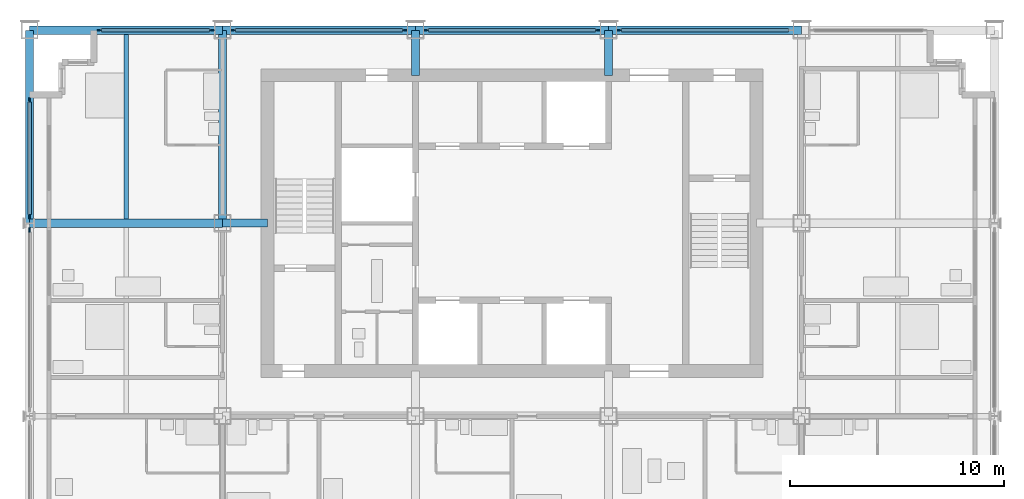
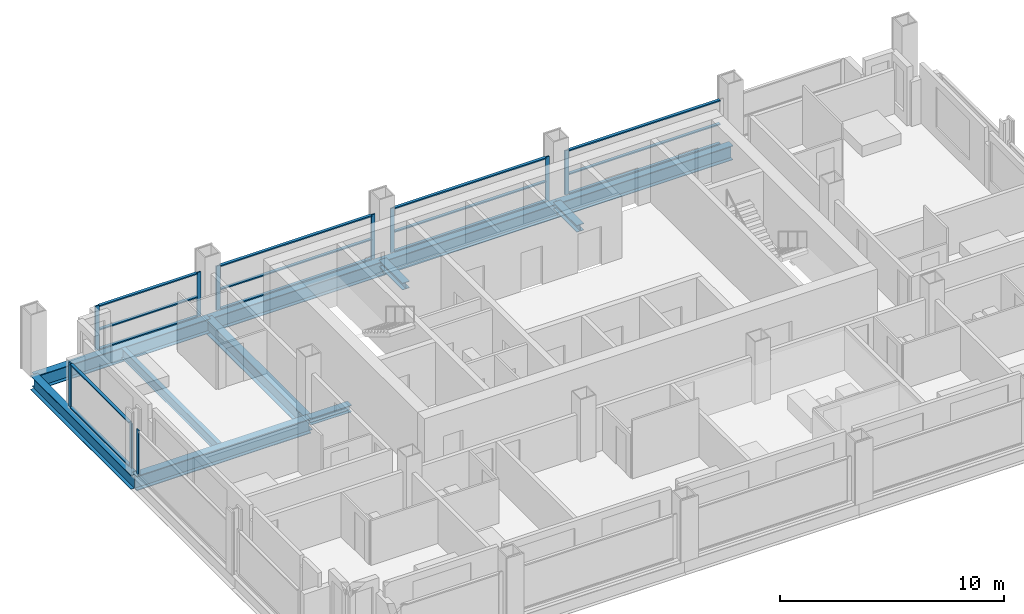
# One storey, part 4 of 13: 27 members, 8 beams, 6 elements without a shape of their own.
"""IFC4 building model written with IfcOpenShell, lengths in metres."""

import ifcopenshell
import ifcopenshell.guid

model = None  # the IFC model being written
_history = None  # IfcOwnerHistory: only IFC2X3 demands one
_inside = {}  # id of a spatial element -> (the spatial element, [elements in it])
_under = {}  # id of a project, library or spatial element -> (it, [spatial elements below it])
_declared = {}  # id of a project -> (the project, [libraries it declares])
_typed = {}  # id of a type object -> (the type object, [elements of that type])
_made_of = {}  # id of a material, layer set ... -> (it, [elements and type objects made of it])


def new_model(schema):
    """Start an empty IFC model of exactly this schema.

    Asked for "IFC4X3", IfcOpenShell would pick the latest addendum, in which some entities
    have other attributes; the version numbers below select the first issue.
    IFC2X3 requires an IfcOwnerHistory on every rooted entity: one is made here for all.
    """
    global model, _history
    if schema == "IFC4X3":
        model = ifcopenshell.file(schema_version=(4, 3, 0, 0))
    else:
        model = ifcopenshell.file(schema=schema)
    _inside.clear()
    _under.clear()
    _declared.clear()
    _typed.clear()
    _made_of.clear()
    _history = None
    if model.schema == "IFC2X3":
        org = make("IfcOrganization", Name="unknown")
        user = make(
            "IfcPersonAndOrganization",
            ThePerson=make("IfcPerson", FamilyName="unknown"),
            TheOrganization=org,
        )
        app = make(
            "IfcApplication",
            ApplicationDeveloper=org,
            Version="unknown",
            ApplicationFullName="unknown",
            ApplicationIdentifier="unknown",
        )
        _history = make(
            "IfcOwnerHistory",
            OwningUser=user,
            OwningApplication=app,
            ChangeAction="ADDED",
            CreationDate=0,
        )
    return model


def make(cls, **values):
    """One entity of the class cls with the attributes given. An attribute that is None is left unset."""
    return model.create_entity(
        cls, **{name: value for name, value in values.items() if value is not None}
    )


def rooted(cls, **values):
    """An entity with a GlobalId (a new one), such as an element, a storey or a relation."""
    return make(cls, GlobalId=ifcopenshell.guid.new(), OwnerHistory=_history, **values)


def si_unit(unit_type, name, prefix=None):
    """IfcSIUnit, for example si_unit("LENGTHUNIT", "METRE", prefix="MILLI")."""
    return make("IfcSIUnit", UnitType=unit_type, Prefix=prefix, Name=name)


def assignment(units):
    """IfcUnitAssignment: the units of a project."""
    return None if units is None else make("IfcUnitAssignment", Units=units)


def point(xyz):
    """IfcCartesianPoint."""
    return None if xyz is None else make("IfcCartesianPoint", Coordinates=xyz)


def direction(xyz):
    """IfcDirection."""
    return None if xyz is None else make("IfcDirection", DirectionRatios=xyz)


def frame(location, z_axis=None, x_axis=None):
    """IfcAxis2Placement3D, a coordinate frame: its origin and axes. An axis left out is left unset."""
    return make(
        "IfcAxis2Placement3D",
        Location=point(location),
        Axis=direction(z_axis),
        RefDirection=direction(x_axis),
    )


def frame_2d(location, x_axis=None):
    """IfcAxis2Placement2D, a coordinate frame in the plane: its origin and x axis."""
    return make(
        "IfcAxis2Placement2D", Location=point(location), RefDirection=direction(x_axis)
    )


def origin():
    """The frame at (0, 0, 0) with its axes left unset."""
    return frame((0.0, 0.0, 0.0))


def origin_2d():
    """The frame at (0, 0) in the plane with its x axis left unset."""
    return frame_2d((0.0, 0.0))


def place(relative_to, where):
    """IfcLocalPlacement: puts the frame where relative to a parent placement (None: the world)."""
    return make(
        "IfcLocalPlacement", PlacementRelTo=relative_to, RelativePlacement=where
    )


def context(
    kind, dimensions, precision=None, world=None, true_north=None, identifier=None
):
    """IfcGeometricRepresentationContext, for example the 3D "Model" context."""
    return make(
        "IfcGeometricRepresentationContext",
        ContextIdentifier=identifier,
        ContextType=kind,
        CoordinateSpaceDimension=dimensions,
        Precision=precision,
        WorldCoordinateSystem=world,
        TrueNorth=true_north,
    )


def subcontext(parent, identifier, kind, view, scale=None):
    """IfcGeometricRepresentationSubContext, for example "Body" below "Model"."""
    return make(
        "IfcGeometricRepresentationSubContext",
        ContextIdentifier=identifier,
        ContextType=kind,
        ParentContext=parent,
        TargetScale=scale,
        TargetView=view,
    )


def project(units=None, contexts=None):
    """IfcProject with its units and contexts."""
    return rooted(
        "IfcProject",
        Name="project",
        RepresentationContexts=contexts,
        UnitsInContext=assignment(units),
    )


def spatial(cls, under=None, at=None, **own):
    """A site, building, storey or space (cls), placed at a placement, below another one or the project."""
    s = rooted(cls, ObjectPlacement=at, **own)
    if under is not None:
        _under.setdefault(under.id(), (under, []))[1].append(s)
    return s


def profile(cls, at=None, kind="AREA", **sizes):
    """A parametric profile (cls). Its sizes go by their IFC names, for example OverallWidth=200.0."""
    return make(cls, ProfileType=kind, Position=at, **sizes)


def rectangle(**sizes):
    """IfcRectangleProfileDef."""
    return profile("IfcRectangleProfileDef", **sizes)


def i_section(**sizes):
    """IfcIShapeProfileDef."""
    return profile("IfcIShapeProfileDef", **sizes)


def extrude(swept, where, along, depth):
    """IfcExtrudedAreaSolid: the profile swept, set in the frame where, extruded along a direction by depth."""
    return make(
        "IfcExtrudedAreaSolid",
        SweptArea=swept,
        Position=where,
        ExtrudedDirection=direction(along),
        Depth=depth,
    )


def shape(context_of_items, identifier, shape_type, items):
    """IfcShapeRepresentation: the items that make up one representation, for example the "Body"."""
    return make(
        "IfcShapeRepresentation",
        ContextOfItems=context_of_items,
        RepresentationIdentifier=identifier,
        RepresentationType=shape_type,
        Items=items,
    )


def material(Name=None, Category=None):
    """IfcMaterial."""
    return make("IfcMaterial", Name=Name, Category=Category)


def material_profile(
    of_material, cross_section, Name=None, Category=None, Priority=None
):
    """IfcMaterialProfile: a cross section and its material."""
    return make(
        "IfcMaterialProfile",
        Name=Name,
        Material=of_material,
        Profile=cross_section,
        Priority=Priority,
        Category=Category,
    )


def profile_set(profiles, Name=None, composite=None):
    """IfcMaterialProfileSet."""
    return make(
        "IfcMaterialProfileSet",
        Name=Name,
        MaterialProfiles=profiles,
        CompositeProfile=composite,
    )


def made_of(thing, what):
    """Note that an element or type object is made of a material, layer set ...; save() writes the relation."""
    if what is not None:
        _made_of.setdefault(what.id(), (what, []))[1].append(thing)
    return thing


def type_object(cls, material=None, **own):
    """A type object (cls), such as IfcWallType, which elements share."""
    return made_of(rooted(cls, **own), material)


def element(
    cls,
    number,
    at=None,
    inside=None,
    cuts=None,
    type_object=None,
    material=None,
    context=None,
    identifier="Body",
    shape_type=None,
    held_by="IfcProductDefinitionShape",
    body=None,
    shapes=None,
    **own,
):
    """One element of the class cls, such as IfcWall. Its Tag is "e" and its number.

    at: its placement. inside: the storey or other place that contains it. cuts: it is an
    opening in that element (IfcRelVoidsElement). A single representation is given by context,
    identifier, shape_type and body (its items); several are given by shapes. held_by: the class
    of the entity that holds the representations. save() writes the other relations.
    """
    e = rooted(cls, Tag="e%d" % number, ObjectPlacement=at, **own)
    if body is not None:
        shapes = [shape(context, identifier, shape_type, body)]
    if shapes is not None:
        e.Representation = make(held_by, Representations=shapes)
    if inside is not None:
        _inside.setdefault(inside.id(), (inside, []))[1].append(e)
    if cuts is not None:
        rooted(
            "IfcRelVoidsElement", RelatingBuildingElement=cuts, RelatedOpeningElement=e
        )
    if type_object is not None:
        _typed.setdefault(type_object.id(), (type_object, []))[1].append(e)
    return made_of(e, material)


def aggregate(whole, parts):
    """IfcRelAggregates: a whole, such as a stair, and the parts it consists of."""
    return rooted("IfcRelAggregates", RelatingObject=whole, RelatedObjects=parts)


def save(model, path):
    """Write the relations noted so far, then the file.

    IfcRelAggregates (storeys below a building ...), IfcRelContainedInSpatialStructure (elements
    in a storey), IfcRelDefinesByType, IfcRelAssociatesMaterial and IfcRelDeclares: one each for
    every whole, place, type object, material and project.
    """
    for whole, parts in _under.values():
        aggregate(whole, parts)
    for where, things in _inside.values():
        rooted(
            "IfcRelContainedInSpatialStructure",
            RelatedElements=things,
            RelatingStructure=where,
        )
    for kind, things in _typed.values():
        rooted("IfcRelDefinesByType", RelatedObjects=things, RelatingType=kind)
    for what, things in _made_of.values():
        rooted("IfcRelAssociatesMaterial", RelatedObjects=things, RelatingMaterial=what)
    for by, libraries in _declared.values():
        rooted("IfcRelDeclares", RelatingContext=by, RelatedDefinitions=libraries)
    model.write(path)


model = new_model("IFC4")

# Units and contexts
model_context = context("Model", 3, precision=1e-05, world=origin(), true_north=direction((0.0, 1.0)))
body_context = subcontext(model_context, "Body", "Model", "MODEL_VIEW")
ifc_project = project(units=[si_unit("LENGTHUNIT", "METRE"), si_unit("AREAUNIT", "SQUARE_METRE"), si_unit("VOLUMEUNIT", "CUBIC_METRE"), si_unit("PLANEANGLEUNIT", "RADIAN"), si_unit("MASSUNIT", "GRAM", prefix="KILO")], contexts=[model_context])

# Site, building, storey
site_placement = place(None, origin())
site = spatial("IfcSite", under=ifc_project, at=site_placement, CompositionType="ELEMENT")
building_placement = place(site_placement, origin())
building = spatial("IfcBuilding", under=site, at=building_placement, Name="Loomwork Tower", CompositionType="ELEMENT")
storey_placement = place(building_placement, frame((0.0, 0.0, 211.39990234375)))
storey = spatial("IfcBuildingStorey", under=building, at=storey_placement, Name="L58", CompositionType="ELEMENT", Elevation=211.39990234375)

# Beams
ifc_material_1 = material(Name="Steel ASTM A992", Category="steel")
ifc_material_profile_1 = material_profile(ifc_material_1, i_section(OverallWidth=0.383544921875, OverallDepth=0.794921875, WebThickness=0.02099609375, FlangeThickness=0.0380859375, at=origin_2d()), Name="W30x235")
ifc_profile_set_1 = profile_set([ifc_material_profile_1], Name="Steel ASTM A992")
beam_type_1 = type_object("IfcBeamType", Name="CORE FLANK GIRDER W30x235", PredefinedType="BEAM", material=ifc_profile_set_1)
for number, where, z_axis, x_axis, name in (
    (1, (0.0, 18.0, -0.597412109375), (1.0, 0.0, 0.0), (0.0, 1.0, 0.0), "Core Flank Girder F/2-F/3 L58"),
    (2, (9.0, 18.0, -0.597412109375), (0.0, 1.0, 0.0), (-1.0, 0.0, 0.0), "Core Flank Girder F/3-G/3 L58"),
):
    element("IfcBeam", number, at=place(storey_placement, frame(where, z_axis=z_axis, x_axis=x_axis)), inside=storey, type_object=beam_type_1, Name=name, PredefinedType="BEAM", context=body_context, shape_type="SweptSolid", body=[
        extrude(i_section(OverallWidth=0.383544921875, OverallDepth=0.794921875, WebThickness=0.02099609375, FlangeThickness=0.0380859375, at=origin_2d()), origin(), (0.0, 0.0, 1.0), 9.0),
    ])

# Members
ifc_material_2 = material(Name="Steel ASTM A992", Category="steel")
ifc_material_profile_2 = material_profile(ifc_material_2, i_section(OverallWidth=0.373291015625, OverallDepth=0.373291015625, WebThickness=0.016357421875, FlangeThickness=0.026123046875, at=origin_2d()), Name="W14x132")
ifc_profile_set_2 = profile_set([ifc_material_profile_2], Name="Steel ASTM A992")
member_type_1 = type_object("IfcMemberType", Name="CORE LINK STRUT W14x132", PredefinedType="STRUT", material=ifc_profile_set_2)
for number, where, z_axis, x_axis, name in (
    (3, (27.0, 27.0, -0.386474609375), (0.0, -1.0, 0.0), (1.0, 0.0, 0.0), "Core link strut G/5-27.000,24.900 L58"),
    (4, (18.0, 27.0, -0.386474609375), (0.0, -1.0, 0.0), (1.0, 0.0, 0.0), "Core link strut G/4-18.000,24.900 L58"),
    (5, (9.0, 18.0, -0.386474609375), (1.0, 0.0, 0.0), (0.0, 1.0, 0.0), "Core link strut F/3-11.100,18.000 L58"),
):
    element("IfcMember", number, at=place(storey_placement, frame(where, z_axis=z_axis, x_axis=x_axis)), inside=storey, type_object=member_type_1, Name=name, PredefinedType="STRUT", context=body_context, shape_type="SweptSolid", body=[
        extrude(i_section(OverallWidth=0.373291015625, OverallDepth=0.373291015625, WebThickness=0.016357421875, FlangeThickness=0.026123046875, at=origin_2d()), origin(), (0.0, 0.0, 1.0), 2.10009765625),
    ])

# Beam
ifc_material_3 = material(Name="Steel ASTM A992", Category="steel")
ifc_material_profile_3 = material_profile(ifc_material_3, i_section(OverallWidth=0.2109375, OverallDepth=0.53857421875, WebThickness=0.011474609375, FlangeThickness=0.018798828125, at=origin_2d()), Name="W21x73")
ifc_profile_set_3 = profile_set([ifc_material_profile_3], Name="Steel ASTM A992")
beam_type_2 = type_object("IfcBeamType", Name="FLOOR JOIST W21x73", PredefinedType="JOIST", material=ifc_profile_set_3)
beam_placement = place(storey_placement, frame((4.5, 18.19091796875, -0.46923828125), z_axis=(0.0, 1.0, 0.0), x_axis=(-1.0, 0.0, 0.0)))
element("IfcBeam", 6, at=beam_placement, inside=storey, type_object=beam_type_2, Name="Floor Joist 4.500,18.000-4.500,27.000 L58", PredefinedType="JOIST", context=body_context, shape_type="SweptSolid", body=[
    extrude(i_section(OverallWidth=0.2109375, OverallDepth=0.53857421875, WebThickness=0.011474609375, FlangeThickness=0.018798828125, at=origin_2d()), origin(), (0.0, 0.0, 1.0), 8.619140625),
])

# Curtain wall, member
ifc_material_4 = material(Name="Aluminium curtain wall frame", Category="aluminium")
curtain_wall_type_1 = type_object("IfcCurtainWallType", Name="Outer skin glazing hotel", PredefinedType="NOTDEFINED", material=ifc_material_4)
curtain_wall_1_placement = place(storey_placement, origin())
curtain_wall_1 = element("IfcCurtainWall", 7, at=curtain_wall_1_placement, inside=storey, type_object=curtain_wall_type_1, Name="Outer skin glazing hotel cw/W-9", PredefinedType="NOTDEFINED")
ifc_material_5 = material(Name="Aluminium curtain wall frame", Category="aluminium")
ifc_material_profile_4 = material_profile(ifc_material_5, rectangle(XDim=0.06494140625, YDim=0.199951171875, at=origin_2d()), Name="AL 65x200")
ifc_profile_set_4 = profile_set([ifc_material_profile_4], Name="Aluminium curtain wall frame")
member_type_2 = type_object("IfcMemberType", Name="Outer skin glazing hotel mullion", PredefinedType="MULLION", material=ifc_profile_set_4)
member_1_placement = place(storey_placement, frame((0.0, 17.6865234375, 0.0), z_axis=(0.0, 0.0, 1.0), x_axis=(1.0, 0.0, 0.0)))
member_1 = element("IfcMember", 8, at=member_1_placement, type_object=member_type_2, Name="CW1 mullion 1", PredefinedType="MULLION", context=body_context, shape_type="SweptSolid", body=[
    extrude(rectangle(XDim=0.06494140625, YDim=0.199951171875, at=origin_2d()), origin(), (0.0, 0.0, 1.0), 2.42041015625),
])
aggregate(curtain_wall_1, [member_1])

# Curtain wall, members
curtain_wall_2_placement = place(storey_placement, origin())
curtain_wall_2 = element("IfcCurtainWall", 9, at=curtain_wall_2_placement, inside=storey, type_object=curtain_wall_type_1, Name="Outer skin glazing hotel cw/W-18", PredefinedType="NOTDEFINED")
member_2_placement = place(storey_placement, frame((0.0, 23.75, 0.0), z_axis=(0.0, 0.0, 1.0), x_axis=(1.0, 0.0, 0.0)))
member_2 = element("IfcMember", 10, at=member_2_placement, type_object=member_type_2, Name="CW1 mullion 1", PredefinedType="MULLION", context=body_context, shape_type="SweptSolid", body=[
    extrude(rectangle(XDim=0.06494140625, YDim=0.199951171875, at=origin_2d()), origin(), (0.0, 0.0, 1.0), 2.42041015625),
])
member_3_placement = place(storey_placement, frame((0.0, 18.3134765625, 0.0), z_axis=(0.0, 0.0, 1.0), x_axis=(1.0, 0.0, 0.0)))
member_3 = element("IfcMember", 11, at=member_3_placement, type_object=member_type_2, Name="CW1 mullion 2", PredefinedType="MULLION", context=body_context, shape_type="SweptSolid", body=[
    extrude(rectangle(XDim=0.06494140625, YDim=0.199951171875, at=origin_2d()), origin(), (0.0, 0.0, 1.0), 2.42041015625),
])
ifc_material_6 = material(Name="Aluminium curtain wall frame", Category="aluminium")
ifc_material_profile_5 = material_profile(ifc_material_6, rectangle(XDim=0.14990234375, YDim=0.06494140625, at=origin_2d()), Name="AL 65x150")
ifc_profile_set_5 = profile_set([ifc_material_profile_5], Name="Aluminium curtain wall frame")
member_type_3 = type_object("IfcMemberType", Name="Outer skin glazing hotel transom", PredefinedType="USERDEFINED", material=ifc_profile_set_5)
member_4_placement = place(storey_placement, frame((0.0, 23.64990234375, 0.03271484375), z_axis=(0.0, -1.0, 0.0), x_axis=(1.0, 0.0, 0.0)))
member_4 = element("IfcMember", 12, at=member_4_placement, type_object=member_type_3, Name="CW1 transom 1.1", ObjectType="TRANSOM", PredefinedType="USERDEFINED", context=body_context, shape_type="SweptSolid", body=[
    extrude(rectangle(XDim=0.14990234375, YDim=0.06494140625, at=origin_2d()), origin(), (0.0, 0.0, 1.0), 5.236572265625),
])
member_5_placement = place(storey_placement, frame((0.0, 23.64990234375, 2.3876953125), z_axis=(0.0, -1.0, 0.0), x_axis=(1.0, 0.0, 0.0)))
member_5 = element("IfcMember", 13, at=member_5_placement, type_object=member_type_3, Name="CW1 transom 1.2", ObjectType="TRANSOM", PredefinedType="USERDEFINED", context=body_context, shape_type="SweptSolid", body=[
    extrude(rectangle(XDim=0.14990234375, YDim=0.06494140625, at=origin_2d()), origin(), (0.0, 0.0, 1.0), 5.236572265625),
])
aggregate(curtain_wall_2, [member_2, member_3, member_4, member_5])

# Beams
ifc_material_7 = material(Name="Steel ASTM A992", Category="steel")
ifc_material_profile_6 = material_profile(ifc_material_7, i_section(OverallWidth=0.381103515625, OverallDepth=0.77978515625, WebThickness=0.01806640625, FlangeThickness=0.0302734375, at=origin_2d()), Name="W30x191")
ifc_profile_set_6 = profile_set([ifc_material_profile_6], Name="Steel ASTM A992")
beam_type_3 = type_object("IfcBeamType", Name="SPANDREL GIRDER W30x191", PredefinedType="SPANDREL", material=ifc_profile_set_6)
for number, where, z_axis, x_axis, name in (
    (14, (0.0, 27.0, -0.58984375), (1.0, 0.0, 0.0), (0.0, 1.0, 0.0), "Spandrel Girder G/2-G/3 L58"),
    (15, (9.0, 27.0, -0.58984375), (1.0, 0.0, 0.0), (0.0, 1.0, 0.0), "Spandrel Girder G/3-G/4 L58"),
    (16, (18.0, 27.0, -0.58984375), (1.0, 0.0, 0.0), (0.0, 1.0, 0.0), "Spandrel Girder G/4-G/5 L58"),
    (17, (27.0, 27.0, -0.58984375), (1.0, 0.0, 0.0), (0.0, 1.0, 0.0), "Spandrel Girder G/5-G/6 L58"),
    (18, (0.0, 18.0, -0.58984375), (0.0, 1.0, 0.0), (-1.0, 0.0, 0.0), "Spandrel Girder F/2-G/2 L58"),
):
    element("IfcBeam", number, at=place(storey_placement, frame(where, z_axis=z_axis, x_axis=x_axis)), inside=storey, type_object=beam_type_3, Name=name, PredefinedType="SPANDREL", context=body_context, shape_type="SweptSolid", body=[
        extrude(i_section(OverallWidth=0.381103515625, OverallDepth=0.77978515625, WebThickness=0.01806640625, FlangeThickness=0.0302734375, at=origin_2d()), origin(), (0.0, 0.0, 1.0), 9.0),
    ])

# Curtain wall, members
ifc_material_8 = material(Name="Aluminium curtain wall frame", Category="aluminium")
curtain_wall_type_2 = type_object("IfcCurtainWallType", Name="Single skin glazing corridor", PredefinedType="NOTDEFINED", material=ifc_material_8)
curtain_wall_3_placement = place(storey_placement, origin())
curtain_wall_3 = element("IfcCurtainWall", 19, at=curtain_wall_3_placement, inside=storey, type_object=curtain_wall_type_2, Name="Single skin glazing corridor cw/N-0", PredefinedType="NOTDEFINED")
ifc_material_9 = material(Name="Aluminium curtain wall frame", Category="aluminium")
ifc_material_profile_7 = material_profile(ifc_material_9, rectangle(XDim=0.06494140625, YDim=0.199951171875, at=origin_2d()), Name="AL 65x200")
ifc_profile_set_7 = profile_set([ifc_material_profile_7], Name="Aluminium curtain wall frame")
member_type_4 = type_object("IfcMemberType", Name="Single skin glazing corridor mullion", PredefinedType="MULLION", material=ifc_profile_set_7)
member_6_placement = place(storey_placement, frame((8.5, 27.0, 0.0), z_axis=(0.0, 0.0, 1.0), x_axis=(0.0, -1.0, 0.0)))
member_6 = element("IfcMember", 20, at=member_6_placement, type_object=member_type_4, Name="CW3 mullion 1", PredefinedType="MULLION", context=body_context, shape_type="SweptSolid", body=[
    extrude(rectangle(XDim=0.06494140625, YDim=0.199951171875, at=origin_2d()), origin(), (0.0, 0.0, 1.0), 2.42041015625),
])
member_7_placement = place(storey_placement, frame((3.25, 27.0, 0.0), z_axis=(0.0, 0.0, 1.0), x_axis=(0.0, -1.0, 0.0)))
member_7 = element("IfcMember", 21, at=member_7_placement, type_object=member_type_4, Name="CW3 mullion 2", PredefinedType="MULLION", context=body_context, shape_type="SweptSolid", body=[
    extrude(rectangle(XDim=0.06494140625, YDim=0.199951171875, at=origin_2d()), origin(), (0.0, 0.0, 1.0), 2.42041015625),
])

curtain_wall_4_placement = place(storey_placement, origin())
curtain_wall_4 = element("IfcCurtainWall", 22, at=curtain_wall_4_placement, inside=storey, type_object=curtain_wall_type_2, Name="Single skin glazing corridor cw/N-9", PredefinedType="NOTDEFINED")
member_8_placement = place(storey_placement, frame((17.5, 27.0, 0.0), z_axis=(0.0, 0.0, 1.0), x_axis=(0.0, -1.0, 0.0)))
member_8 = element("IfcMember", 23, at=member_8_placement, type_object=member_type_4, Name="CW3 mullion 1", PredefinedType="MULLION", context=body_context, shape_type="SweptSolid", body=[
    extrude(rectangle(XDim=0.06494140625, YDim=0.199951171875, at=origin_2d()), origin(), (0.0, 0.0, 1.0), 2.42041015625),
])
member_9_placement = place(storey_placement, frame((9.5, 27.0, 0.0), z_axis=(0.0, 0.0, 1.0), x_axis=(0.0, -1.0, 0.0)))
member_9 = element("IfcMember", 24, at=member_9_placement, type_object=member_type_4, Name="CW3 mullion 2", PredefinedType="MULLION", context=body_context, shape_type="SweptSolid", body=[
    extrude(rectangle(XDim=0.06494140625, YDim=0.199951171875, at=origin_2d()), origin(), (0.0, 0.0, 1.0), 2.42041015625),
])

curtain_wall_5_placement = place(storey_placement, origin())
curtain_wall_5 = element("IfcCurtainWall", 25, at=curtain_wall_5_placement, inside=storey, type_object=curtain_wall_type_2, Name="Single skin glazing corridor cw/N-18", PredefinedType="NOTDEFINED")
member_10_placement = place(storey_placement, frame((26.5, 27.0, 0.0), z_axis=(0.0, 0.0, 1.0), x_axis=(0.0, -1.0, 0.0)))
member_10 = element("IfcMember", 26, at=member_10_placement, type_object=member_type_4, Name="CW3 mullion 1", PredefinedType="MULLION", context=body_context, shape_type="SweptSolid", body=[
    extrude(rectangle(XDim=0.06494140625, YDim=0.199951171875, at=origin_2d()), origin(), (0.0, 0.0, 1.0), 2.42041015625),
])
member_11_placement = place(storey_placement, frame((18.5, 27.0, 0.0), z_axis=(0.0, 0.0, 1.0), x_axis=(0.0, -1.0, 0.0)))
member_11 = element("IfcMember", 27, at=member_11_placement, type_object=member_type_4, Name="CW3 mullion 2", PredefinedType="MULLION", context=body_context, shape_type="SweptSolid", body=[
    extrude(rectangle(XDim=0.06494140625, YDim=0.199951171875, at=origin_2d()), origin(), (0.0, 0.0, 1.0), 2.42041015625),
])

# Curtain wall, member
curtain_wall_6_placement = place(storey_placement, origin())
curtain_wall_6 = element("IfcCurtainWall", 28, at=curtain_wall_6_placement, inside=storey, type_object=curtain_wall_type_2, Name="Single skin glazing corridor cw/N-27", PredefinedType="NOTDEFINED")
member_12_placement = place(storey_placement, frame((27.5, 27.0, 0.0), z_axis=(0.0, 0.0, 1.0), x_axis=(0.0, -1.0, 0.0)))
member_12 = element("IfcMember", 29, at=member_12_placement, type_object=member_type_4, Name="CW3 mullion 2", PredefinedType="MULLION", context=body_context, shape_type="SweptSolid", body=[
    extrude(rectangle(XDim=0.06494140625, YDim=0.199951171875, at=origin_2d()), origin(), (0.0, 0.0, 1.0), 2.42041015625),
])

# Member
ifc_material_10 = material(Name="Aluminium curtain wall frame", Category="aluminium")
ifc_material_profile_8 = material_profile(ifc_material_10, rectangle(XDim=0.14990234375, YDim=0.06494140625, at=origin_2d()), Name="AL 65x150")
ifc_profile_set_8 = profile_set([ifc_material_profile_8], Name="Aluminium curtain wall frame")
member_type_5 = type_object("IfcMemberType", Name="Single skin glazing corridor transom", PredefinedType="USERDEFINED", material=ifc_profile_set_8)
member_13_placement = place(storey_placement, frame((8.39990234375, 27.0, 0.03271484375), z_axis=(-1.0, 0.0, 0.0), x_axis=(0.0, -1.0, 0.0)))
member_13 = element("IfcMember", 30, at=member_13_placement, type_object=member_type_5, Name="CW3 transom 1.1", ObjectType="TRANSOM", PredefinedType="USERDEFINED", context=body_context, shape_type="SweptSolid", body=[
    extrude(rectangle(XDim=0.14990234375, YDim=0.06494140625, at=origin_2d()), origin(), (0.0, 0.0, 1.0), 5.0498046875),
])

member_14_placement = place(storey_placement, frame((8.39990234375, 27.0, 1.10009765625), z_axis=(-1.0, 0.0, 0.0), x_axis=(0.0, -1.0, 0.0)))
member_14 = element("IfcMember", 31, at=member_14_placement, type_object=member_type_5, Name="CW3 transom 1.2", ObjectType="TRANSOM", PredefinedType="USERDEFINED", context=body_context, shape_type="SweptSolid", body=[
    extrude(rectangle(XDim=0.14990234375, YDim=0.06494140625, at=origin_2d()), origin(), (0.0, 0.0, 1.0), 5.0498046875),
])

member_15_placement = place(storey_placement, frame((8.39990234375, 27.0, 2.3876953125), z_axis=(-1.0, 0.0, 0.0), x_axis=(0.0, -1.0, 0.0)))
member_15 = element("IfcMember", 32, at=member_15_placement, type_object=member_type_5, Name="CW3 transom 1.3", ObjectType="TRANSOM", PredefinedType="USERDEFINED", context=body_context, shape_type="SweptSolid", body=[
    extrude(rectangle(XDim=0.14990234375, YDim=0.06494140625, at=origin_2d()), origin(), (0.0, 0.0, 1.0), 5.0498046875),
])

aggregate(curtain_wall_3, [member_6, member_7, member_13, member_14, member_15])

member_16_placement = place(storey_placement, frame((17.39990234375, 27.0, 0.03271484375), z_axis=(-1.0, 0.0, 0.0), x_axis=(0.0, -1.0, 0.0)))
member_16 = element("IfcMember", 33, at=member_16_placement, type_object=member_type_5, Name="CW3 transom 1.1", ObjectType="TRANSOM", PredefinedType="USERDEFINED", context=body_context, shape_type="SweptSolid", body=[
    extrude(rectangle(XDim=0.14990234375, YDim=0.06494140625, at=origin_2d()), origin(), (0.0, 0.0, 1.0), 7.7998046875),
])

member_17_placement = place(storey_placement, frame((17.39990234375, 27.0, 1.10009765625), z_axis=(-1.0, 0.0, 0.0), x_axis=(0.0, -1.0, 0.0)))
member_17 = element("IfcMember", 34, at=member_17_placement, type_object=member_type_5, Name="CW3 transom 1.2", ObjectType="TRANSOM", PredefinedType="USERDEFINED", context=body_context, shape_type="SweptSolid", body=[
    extrude(rectangle(XDim=0.14990234375, YDim=0.06494140625, at=origin_2d()), origin(), (0.0, 0.0, 1.0), 7.7998046875),
])

member_18_placement = place(storey_placement, frame((17.39990234375, 27.0, 2.3876953125), z_axis=(-1.0, 0.0, 0.0), x_axis=(0.0, -1.0, 0.0)))
member_18 = element("IfcMember", 35, at=member_18_placement, type_object=member_type_5, Name="CW3 transom 1.3", ObjectType="TRANSOM", PredefinedType="USERDEFINED", context=body_context, shape_type="SweptSolid", body=[
    extrude(rectangle(XDim=0.14990234375, YDim=0.06494140625, at=origin_2d()), origin(), (0.0, 0.0, 1.0), 7.7998046875),
])

aggregate(curtain_wall_4, [member_8, member_9, member_16, member_17, member_18])

member_19_placement = place(storey_placement, frame((26.39990234375, 27.0, 0.03271484375), z_axis=(-1.0, 0.0, 0.0), x_axis=(0.0, -1.0, 0.0)))
member_19 = element("IfcMember", 36, at=member_19_placement, type_object=member_type_5, Name="CW3 transom 1.1", ObjectType="TRANSOM", PredefinedType="USERDEFINED", context=body_context, shape_type="SweptSolid", body=[
    extrude(rectangle(XDim=0.14990234375, YDim=0.06494140625, at=origin_2d()), origin(), (0.0, 0.0, 1.0), 7.7998046875),
])

member_20_placement = place(storey_placement, frame((26.39990234375, 27.0, 1.10009765625), z_axis=(-1.0, 0.0, 0.0), x_axis=(0.0, -1.0, 0.0)))
member_20 = element("IfcMember", 37, at=member_20_placement, type_object=member_type_5, Name="CW3 transom 1.2", ObjectType="TRANSOM", PredefinedType="USERDEFINED", context=body_context, shape_type="SweptSolid", body=[
    extrude(rectangle(XDim=0.14990234375, YDim=0.06494140625, at=origin_2d()), origin(), (0.0, 0.0, 1.0), 7.7998046875),
])

member_21_placement = place(storey_placement, frame((26.39990234375, 27.0, 2.3876953125), z_axis=(-1.0, 0.0, 0.0), x_axis=(0.0, -1.0, 0.0)))
member_21 = element("IfcMember", 38, at=member_21_placement, type_object=member_type_5, Name="CW3 transom 1.3", ObjectType="TRANSOM", PredefinedType="USERDEFINED", context=body_context, shape_type="SweptSolid", body=[
    extrude(rectangle(XDim=0.14990234375, YDim=0.06494140625, at=origin_2d()), origin(), (0.0, 0.0, 1.0), 7.7998046875),
])

aggregate(curtain_wall_5, [member_10, member_11, member_19, member_20, member_21])

member_22_placement = place(storey_placement, frame((35.39990234375, 27.0, 0.03271484375), z_axis=(-1.0, 0.0, 0.0), x_axis=(0.0, -1.0, 0.0)))
member_22 = element("IfcMember", 39, at=member_22_placement, type_object=member_type_5, Name="CW3 transom 1.1", ObjectType="TRANSOM", PredefinedType="USERDEFINED", context=body_context, shape_type="SweptSolid", body=[
    extrude(rectangle(XDim=0.14990234375, YDim=0.06494140625, at=origin_2d()), origin(), (0.0, 0.0, 1.0), 7.7998046875),
])

member_23_placement = place(storey_placement, frame((35.39990234375, 27.0, 1.10009765625), z_axis=(-1.0, 0.0, 0.0), x_axis=(0.0, -1.0, 0.0)))
member_23 = element("IfcMember", 40, at=member_23_placement, type_object=member_type_5, Name="CW3 transom 1.2", ObjectType="TRANSOM", PredefinedType="USERDEFINED", context=body_context, shape_type="SweptSolid", body=[
    extrude(rectangle(XDim=0.14990234375, YDim=0.06494140625, at=origin_2d()), origin(), (0.0, 0.0, 1.0), 7.7998046875),
])

member_24_placement = place(storey_placement, frame((35.39990234375, 27.0, 2.3876953125), z_axis=(-1.0, 0.0, 0.0), x_axis=(0.0, -1.0, 0.0)))
member_24 = element("IfcMember", 41, at=member_24_placement, type_object=member_type_5, Name="CW3 transom 1.3", ObjectType="TRANSOM", PredefinedType="USERDEFINED", context=body_context, shape_type="SweptSolid", body=[
    extrude(rectangle(XDim=0.14990234375, YDim=0.06494140625, at=origin_2d()), origin(), (0.0, 0.0, 1.0), 7.7998046875),
])

aggregate(curtain_wall_6, [member_12, member_22, member_23, member_24])

save(model, "model.ifc")
